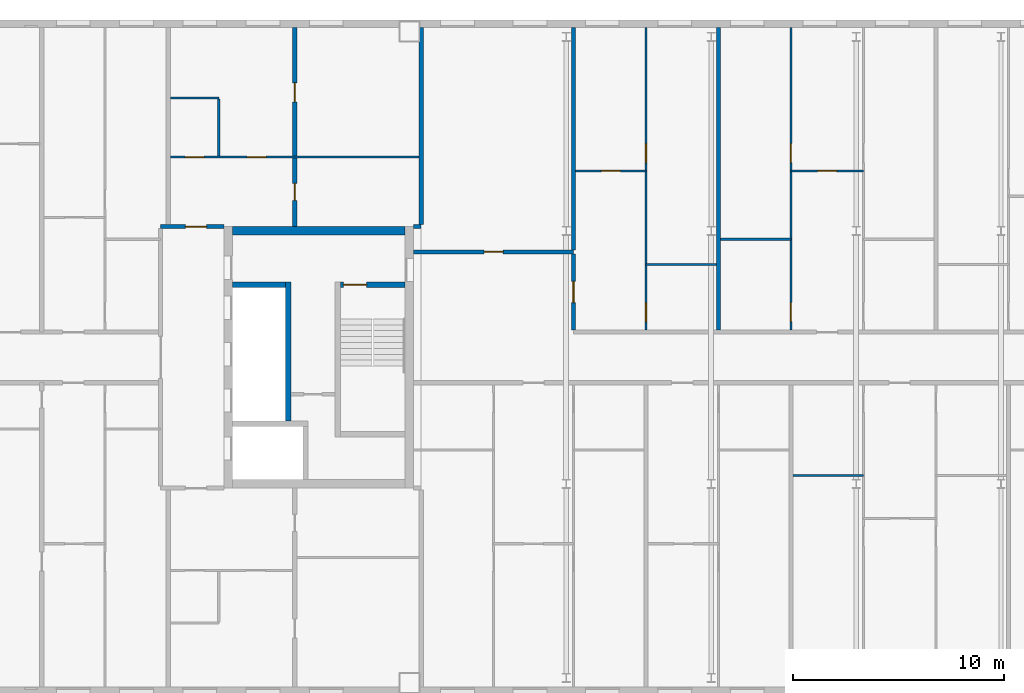
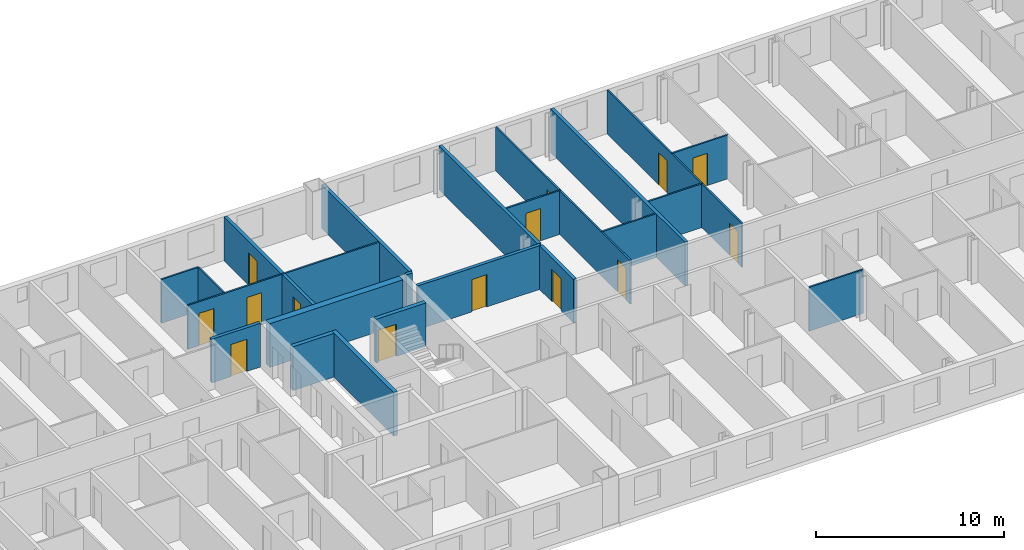
# One storey, part 9 of 19: 22 walls, 14 doors, 14 openings.
"""IFC4 building model written with IfcOpenShell, lengths in metres."""

from ifc_helpers import new_model, si_unit, direction, frame, frame_2d, origin, place, context, subcontext, project, spatial, rectangle, extrude, material, layer, layer_set, type_object, element, fill, save


model = new_model("IFC4")

# Units and contexts
model_context = context("Model", 3, precision=1e-05, world=origin(), true_north=direction((0.0, 1.0)))
body_context = subcontext(model_context, "Body", "Model", "MODEL_VIEW")
ifc_project = project(units=[si_unit("LENGTHUNIT", "METRE"), si_unit("AREAUNIT", "SQUARE_METRE"), si_unit("VOLUMEUNIT", "CUBIC_METRE"), si_unit("PLANEANGLEUNIT", "RADIAN"), si_unit("MASSUNIT", "GRAM", prefix="KILO")], contexts=[model_context])

# Site, building, storey
site_placement = place(None, origin())
site = spatial("IfcSite", under=ifc_project, at=site_placement, CompositionType="ELEMENT")
building_placement = place(site_placement, origin())
building = spatial("IfcBuilding", under=site, at=building_placement, Name="Tuart Gate Housing", CompositionType="ELEMENT")
storey_placement = place(building_placement, frame((0.0, 0.0, 230.699951171875)))
storey = spatial("IfcBuildingStorey", under=building, at=storey_placement, Name="L65", CompositionType="ELEMENT", Elevation=230.699951171875)

# Wall
ifc_material_1 = material(Name="Concrete C40", Category="concrete")
ifc_layer_1 = layer(ifc_material_1, 0.25)
ifc_layer_set_1 = layer_set([ifc_layer_1], Name="Core wall 250 C40")
wall_type_1 = type_object("IfcWallType", Name="Core wall 250 C40", PredefinedType="SHEAR", material=ifc_layer_set_1)
wall_1_placement = place(storey_placement, frame((67.0400390625, 73.449951171875, 0.0), z_axis=(0.0, 0.0, 1.0), x_axis=(1.0, 0.0, 0.0)))
element("IfcWall", 1, at=wall_1_placement, inside=storey, type_object=wall_type_1, Name="Core wall AG.4", PredefinedType="SHEAR", context=body_context, shape_type="SweptSolid", body=[
    extrude(rectangle(XDim=2.52490234375, YDim=0.25, at=frame_2d((1.262451171875, 0.0))), origin(), (0.0, 0.0, 1.0), 2.85009765625),
])

# Wall, opening, door
wall_2_placement = place(storey_placement, frame((72.1650390625, 73.449951171875, 0.0), z_axis=(0.0, 0.0, 1.0), x_axis=(1.0, 0.0, 0.0)))
wall_2 = element("IfcWall", 2, at=wall_2_placement, inside=storey, type_object=wall_type_1, Name="Core wall AG.5", PredefinedType="SHEAR", context=body_context, shape_type="SweptSolid", body=[
    extrude(rectangle(XDim=3.074951171875, YDim=0.25, at=frame_2d((1.53759765625, 0.0))), origin(), (0.0, 0.0, 1.0), 2.85009765625),
])
opening_1_placement = place(wall_2_placement, frame((0.14990234375, 0.0, 0.0)))
opening_1 = element("IfcOpeningElement", 3, at=opening_1_placement, cuts=wall_2, Name="Opening D2463", PredefinedType="OPENING", context=body_context, shape_type="SweptSolid", body=[
    extrude(rectangle(XDim=1.10009765625, YDim=2.10009765625, at=frame_2d((0.550048828125, 1.050048828125))), frame((0.0, 0.135009765625, 0.0), z_axis=(0.0, -1.0, 0.0), x_axis=(1.0, 0.0, 0.0)), (0.0, 0.0, 1.0), 0.27001953125),
])
ifc_material_2 = material(Name="Steel fire door", Category="steel")
door_type_1 = type_object("IfcDoorType", Name="Stair door 1100 x 2100 RH", OperationType="SINGLE_SWING_RIGHT", PredefinedType="DOOR", material=ifc_material_2)
door_1_placement = place(opening_1_placement, frame((1.10009765625, 0.0, 0.0), z_axis=(0.0, 0.0, 1.0), x_axis=(-1.0, 0.0, 0.0)))
door_1 = element("IfcDoor", 4, at=door_1_placement, inside=storey, type_object=door_type_1, Name="Stair door AG.SD", OperationType="SINGLE_SWING_RIGHT", OverallHeight=2.10009765625, OverallWidth=1.10009765625, PredefinedType="DOOR", context=body_context, shape_type="SweptSolid", body=[
    extrude(rectangle(XDim=1.10009765625, YDim=2.10009765625, at=frame_2d((0.550048828125, 1.050048828125))), frame((0.0, 0.025146484375, 0.0), z_axis=(0.0, -1.0, 0.0), x_axis=(1.0, 0.0, 0.0)), (0.0, 0.0, 1.0), 0.050048828125),
])
fill(opening_1, door_1)

# Walls
wall_3_placement = place(storey_placement, frame((69.68994140625, 66.97509765625, 0.0), z_axis=(0.0, 0.0, 1.0), x_axis=(0.0, 1.0, 0.0)))
element("IfcWall", 5, at=wall_3_placement, inside=storey, type_object=wall_type_1, Name="Core wall AG.6", PredefinedType="SHEAR", context=body_context, shape_type="SweptSolid", body=[
    extrude(rectangle(XDim=6.599853515625, YDim=0.25, at=frame_2d((3.2998046875, 0.0))), origin(), (0.0, 0.0, 1.0), 2.85009765625),
])
ifc_material_3 = material(Name="Concrete C40", Category="concrete")
ifc_layer_2 = layer(ifc_material_3, 0.39990234375)
ifc_layer_set_2 = layer_set([ifc_layer_2], Name="Core wall 400 C40")
wall_type_2 = type_object("IfcWallType", Name="Core wall 400 C40", PredefinedType="SHEAR", material=ifc_layer_set_2)
wall_4_placement = place(storey_placement, frame((67.0400390625, 76.0, 0.0), z_axis=(0.0, 0.0, 1.0), x_axis=(1.0, 0.0, 0.0)))
element("IfcWall", 6, at=wall_4_placement, inside=storey, type_object=wall_type_2, Name="Core wall AG north", PredefinedType="SHEAR", context=body_context, shape_type="SweptSolid", body=[
    extrude(rectangle(XDim=8.199951171875, YDim=0.39990234375, at=frame_2d((4.10009765625, 0.0))), origin(), (0.0, 0.0, 1.0), 2.85009765625),
])

# Wall, opening, door
ifc_material_4 = material(Name="Concrete masonry 15 MPa", Category="masonry")
ifc_layer_3 = layer(ifc_material_4, 0.199951171875)
ifc_layer_set_3 = layer_set([ifc_layer_3], Name="Corridor wall masonry 200")
wall_type_3 = type_object("IfcWallType", Name="Corridor wall masonry 200", PredefinedType="PARTITIONING", material=ifc_layer_set_3)
wall_5_placement = place(storey_placement, frame((75.639892578125, 75.0, 0.0), z_axis=(0.0, 0.0, 1.0), x_axis=(1.0, 0.0, 0.0)))
wall_5 = element("IfcWall", 7, at=wall_5_placement, inside=storey, type_object=wall_type_3, Name="Corridor wall masonry 200", PredefinedType="PARTITIONING", context=body_context, shape_type="SweptSolid", body=[
    extrude(rectangle(XDim=7.585205078125, YDim=0.199951171875, at=frame_2d((3.79248046875, 0.0))), origin(), (0.0, 0.0, 1.0), 2.85009765625),
])
opening_2_placement = place(wall_5_placement, frame((3.342529296875, 0.0, 0.0)))
opening_2 = element("IfcOpeningElement", 8, at=opening_2_placement, cuts=wall_5, Name="Opening D2518", PredefinedType="OPENING", context=body_context, shape_type="SweptSolid", body=[
    extrude(rectangle(XDim=0.89990234375, YDim=2.10009765625, at=frame_2d((0.449951171875, 1.050048828125))), frame((0.0, 0.10986328125, 0.0), z_axis=(0.0, -1.0, 0.0), x_axis=(1.0, 0.0, 0.0)), (0.0, 0.0, 1.0), 0.219970703125),
])
ifc_material_5 = material(Name="Timber door leaf in steel frame", Category="steel")
door_type_2 = type_object("IfcDoorType", Name="Internal door 900", OperationType="SINGLE_SWING_LEFT", PredefinedType="DOOR", material=ifc_material_5)
door_2_placement = place(opening_2_placement, origin())
door_2 = element("IfcDoor", 9, at=door_2_placement, inside=storey, type_object=door_type_2, Name="Internal door", OperationType="SINGLE_SWING_LEFT", OverallHeight=2.10009765625, OverallWidth=0.89990234375, PredefinedType="DOOR", context=body_context, shape_type="SweptSolid", body=[
    extrude(rectangle(XDim=0.89990234375, YDim=2.10009765625, at=frame_2d((0.449951171875, 1.050048828125))), frame((0.0, 0.02490234375, 0.0), z_axis=(0.0, -1.0, 0.0), x_axis=(1.0, 0.0, 0.0)), (0.0, 0.0, 1.0), 0.050048828125),
])
fill(opening_2, door_2)

wall_6_placement = place(storey_placement, frame((83.22509765625, 71.300048828125, 0.0), z_axis=(0.0, 0.0, 1.0), x_axis=(0.0, 1.0, 0.0)))
wall_6 = element("IfcWall", 10, at=wall_6_placement, inside=storey, type_object=wall_type_3, Name="Corridor wall masonry 200", PredefinedType="PARTITIONING", context=body_context, shape_type="SweptSolid", body=[
    extrude(rectangle(XDim=3.599853515625, YDim=0.199951171875, at=frame_2d((1.7998046875, 0.0))), origin(), (0.0, 0.0, 1.0), 2.85009765625),
])
opening_3_placement = place(wall_6_placement, frame((1.300048828125, 0.0, 0.0)))
opening_3 = element("IfcOpeningElement", 11, at=opening_3_placement, cuts=wall_6, Name="Opening D2520", PredefinedType="OPENING", context=body_context, shape_type="SweptSolid", body=[
    extrude(rectangle(XDim=1.0, YDim=2.10009765625, at=frame_2d((0.5, 1.050048828125))), frame((0.0, 0.10986328125, 0.0), z_axis=(0.0, -1.0, 0.0), x_axis=(1.0, 0.0, 0.0)), (0.0, 0.0, 1.0), 0.219970703125),
])
ifc_material_6 = material(Name="Timber door leaf in steel frame", Category="steel")
door_type_3 = type_object("IfcDoorType", Name="Flat entrance door 1000 RH", OperationType="SINGLE_SWING_RIGHT", PredefinedType="DOOR", material=ifc_material_6)
door_3_placement = place(opening_3_placement, frame((1.0, 0.0, 0.0), z_axis=(0.0, 0.0, 1.0), x_axis=(-1.0, 0.0, 0.0)))
door_3 = element("IfcDoor", 12, at=door_3_placement, inside=storey, type_object=door_type_3, Name="Flat entrance door", OperationType="SINGLE_SWING_RIGHT", OverallHeight=2.10009765625, OverallWidth=1.0, PredefinedType="DOOR", context=body_context, shape_type="SweptSolid", body=[
    extrude(rectangle(XDim=1.0, YDim=2.10009765625, at=frame_2d((0.5, 1.050048828125))), frame((0.0, 0.025146484375, 0.0), z_axis=(0.0, -1.0, 0.0), x_axis=(1.0, 0.0, 0.0)), (0.0, 0.0, 1.0), 0.050048828125),
])
fill(opening_3, door_3)

ifc_material_7 = material(Name="Concrete masonry 15 MPa", Category="masonry")
ifc_layer_4 = layer(ifc_material_7, 0.199951171875)
ifc_layer_set_4 = layer_set([ifc_layer_4], Name="Enclosure wall masonry 200")
wall_type_4 = type_object("IfcWallType", Name="Enclosure wall masonry 200", PredefinedType="PARTITIONING", material=ifc_layer_set_4)
wall_7_placement = place(storey_placement, frame((63.639892578125, 76.199951171875, 0.0), z_axis=(0.0, 0.0, 1.0), x_axis=(1.0, 0.0, 0.0)))
wall_7 = element("IfcWall", 13, at=wall_7_placement, inside=storey, type_object=wall_type_4, Name="Enclosure wall masonry 200", PredefinedType="PARTITIONING", context=body_context, shape_type="SweptSolid", body=[
    extrude(rectangle(XDim=3.0, YDim=0.199951171875, at=frame_2d((1.5, 0.0))), origin(), (0.0, 0.0, 1.0), 2.85009765625),
])
opening_4_placement = place(wall_7_placement, frame((1.179931640625, 0.0, 0.0)))
opening_4 = element("IfcOpeningElement", 14, at=opening_4_placement, cuts=wall_7, Name="Opening D2461", PredefinedType="OPENING", context=body_context, shape_type="SweptSolid", body=[
    extrude(rectangle(XDim=1.0, YDim=2.10009765625, at=frame_2d((0.5, 1.050048828125))), frame((0.0, 0.10986328125, 0.0), z_axis=(0.0, -1.0, 0.0), x_axis=(1.0, 0.0, 0.0)), (0.0, 0.0, 1.0), 0.219970703125),
])
ifc_material_8 = material(Name="Timber door leaf in steel frame", Category="steel")
door_type_4 = type_object("IfcDoorType", Name="Flat entrance door 1000", OperationType="SINGLE_SWING_LEFT", PredefinedType="DOOR", material=ifc_material_8)
door_4_placement = place(opening_4_placement, origin())
door_4 = element("IfcDoor", 15, at=door_4_placement, inside=storey, type_object=door_type_4, Name="Flat entrance door", OperationType="SINGLE_SWING_LEFT", OverallHeight=2.10009765625, OverallWidth=1.0, PredefinedType="DOOR", context=body_context, shape_type="SweptSolid", body=[
    extrude(rectangle(XDim=1.0, YDim=2.10009765625, at=frame_2d((0.5, 1.050048828125))), frame((0.0, 0.02490234375, 0.0), z_axis=(0.0, -1.0, 0.0), x_axis=(1.0, 0.0, 0.0)), (0.0, 0.0, 1.0), 0.050048828125),
])
fill(opening_4, door_4)

# Walls
ifc_material_9 = material(Name="Gypsum board on steel studs", Category="steel")
ifc_layer_5 = layer(ifc_material_9, 0.10009765625)
ifc_layer_set_5 = layer_set([ifc_layer_5], Name="Partition 100")
wall_type_5 = type_object("IfcWallType", Name="Partition 100", PredefinedType="PARTITIONING", material=ifc_layer_set_5)
wall_8_placement = place(storey_placement, frame((93.636962890625, 64.39990234375, 0.0), z_axis=(0.0, 0.0, 1.0), x_axis=(1.0, 0.0, 0.0)))
element("IfcWall", 16, at=wall_8_placement, inside=storey, type_object=wall_type_5, Name="Partition 100", PredefinedType="PARTITIONING", context=body_context, shape_type="SweptSolid", body=[
    extrude(rectangle(XDim=3.338134765625, YDim=0.10009765625, at=frame_2d((1.6689453125, 0.0))), origin(), (0.0, 0.0, 1.0), 2.85009765625),
])
wall_9_placement = place(storey_placement, frame((86.662109375, 74.39990234375, 0.0), z_axis=(0.0, 0.0, 1.0), x_axis=(1.0, 0.0, 0.0)))
element("IfcWall", 17, at=wall_9_placement, inside=storey, type_object=wall_type_5, Name="Partition 100", PredefinedType="PARTITIONING", context=body_context, shape_type="SweptSolid", body=[
    extrude(rectangle(XDim=3.337890625, YDim=0.10009765625, at=frame_2d((1.6689453125, 0.0))), origin(), (0.0, 0.0, 1.0), 2.85009765625),
])
wall_10_placement = place(storey_placement, frame((90.199951171875, 75.60009765625, 0.0), z_axis=(0.0, 0.0, 1.0), x_axis=(1.0, 0.0, 0.0)))
element("IfcWall", 18, at=wall_10_placement, inside=storey, type_object=wall_type_5, Name="Partition 100", PredefinedType="PARTITIONING", context=body_context, shape_type="SweptSolid", body=[
    extrude(rectangle(XDim=3.337158203125, YDim=0.10009765625, at=frame_2d((1.66845703125, 0.0))), origin(), (0.0, 0.0, 1.0), 2.85009765625),
])

# Wall, opening, door
wall_11_placement = place(storey_placement, frame((83.324951171875, 78.840087890625, 0.0), z_axis=(0.0, 0.0, 1.0), x_axis=(1.0, 0.0, 0.0)))
wall_11 = element("IfcWall", 19, at=wall_11_placement, inside=storey, type_object=wall_type_5, Name="Partition 100", PredefinedType="PARTITIONING", context=body_context, shape_type="SweptSolid", body=[
    extrude(rectangle(XDim=3.337158203125, YDim=0.10009765625, at=frame_2d((1.66845703125, 0.0))), origin(), (0.0, 0.0, 1.0), 2.85009765625),
])
opening_5_placement = place(wall_11_placement, frame((1.218505859375, 0.0, 0.0)))
opening_5 = element("IfcOpeningElement", 20, at=opening_5_placement, cuts=wall_11, Name="Opening D2500", PredefinedType="OPENING", context=body_context, shape_type="SweptSolid", body=[
    extrude(rectangle(XDim=0.89990234375, YDim=2.10009765625, at=frame_2d((0.449951171875, 1.050048828125))), frame((0.0, 0.06005859375, 0.0), z_axis=(0.0, -1.0, 0.0), x_axis=(1.0, 0.0, 0.0)), (0.0, 0.0, 1.0), 0.1201171875),
])
door_5_placement = place(opening_5_placement, frame((0.89990234375, 0.0, 0.0), z_axis=(0.0, 0.0, 1.0), x_axis=(-1.0, 0.0, 0.0)))
door_5 = element("IfcDoor", 21, at=door_5_placement, inside=storey, type_object=door_type_2, Name="Internal door", OperationType="SINGLE_SWING_LEFT", OverallHeight=2.10009765625, OverallWidth=0.89990234375, PredefinedType="DOOR", context=body_context, shape_type="SweptSolid", body=[
    extrude(rectangle(XDim=0.89990234375, YDim=2.10009765625, at=frame_2d((0.449951171875, 1.050048828125))), frame((0.0, 0.025146484375, 0.0), z_axis=(0.0, -1.0, 0.0), x_axis=(1.0, 0.0, 0.0)), (0.0, 0.0, 1.0), 0.050048828125),
])
fill(opening_5, door_5)

wall_12_placement = place(storey_placement, frame((93.537109375, 78.840087890625, 0.0), z_axis=(0.0, 0.0, 1.0), x_axis=(1.0, 0.0, 0.0)))
wall_12 = element("IfcWall", 22, at=wall_12_placement, inside=storey, type_object=wall_type_5, Name="Partition 100", PredefinedType="PARTITIONING", context=body_context, shape_type="SweptSolid", body=[
    extrude(rectangle(XDim=3.43798828125, YDim=0.10009765625, at=frame_2d((1.718994140625, 0.0))), origin(), (0.0, 0.0, 1.0), 2.85009765625),
])
opening_6_placement = place(wall_12_placement, frame((1.26904296875, 0.0, 0.0)))
opening_6 = element("IfcOpeningElement", 23, at=opening_6_placement, cuts=wall_12, Name="Opening D2501", PredefinedType="OPENING", context=body_context, shape_type="SweptSolid", body=[
    extrude(rectangle(XDim=0.89990234375, YDim=2.10009765625, at=frame_2d((0.449951171875, 1.050048828125))), frame((0.0, 0.06005859375, 0.0), z_axis=(0.0, -1.0, 0.0), x_axis=(1.0, 0.0, 0.0)), (0.0, 0.0, 1.0), 0.1201171875),
])
ifc_material_10 = material(Name="Timber door leaf in steel frame", Category="steel")
door_type_5 = type_object("IfcDoorType", Name="Internal door 900 RH", OperationType="SINGLE_SWING_RIGHT", PredefinedType="DOOR", material=ifc_material_10)
door_6_placement = place(opening_6_placement, frame((0.89990234375, 0.0, 0.0), z_axis=(0.0, 0.0, 1.0), x_axis=(-1.0, 0.0, 0.0)))
door_6 = element("IfcDoor", 24, at=door_6_placement, inside=storey, type_object=door_type_5, Name="Internal door", OperationType="SINGLE_SWING_RIGHT", OverallHeight=2.10009765625, OverallWidth=0.89990234375, PredefinedType="DOOR", context=body_context, shape_type="SweptSolid", body=[
    extrude(rectangle(XDim=0.89990234375, YDim=2.10009765625, at=frame_2d((0.449951171875, 1.050048828125))), frame((0.0, 0.025146484375, 0.0), z_axis=(0.0, -1.0, 0.0), x_axis=(1.0, 0.0, 0.0)), (0.0, 0.0, 1.0), 0.050048828125),
])
fill(opening_6, door_6)

# Wall, openings, doors
wall_13_placement = place(storey_placement, frame((64.10009765625, 79.5, 0.0), z_axis=(0.0, 0.0, 1.0), x_axis=(1.0, 0.0, 0.0)))
wall_13 = element("IfcWall", 25, at=wall_13_placement, inside=storey, type_object=wall_type_5, Name="Partition 100", PredefinedType="PARTITIONING", context=body_context, shape_type="SweptSolid", body=[
    extrude(rectangle(XDim=11.7998046875, YDim=0.10009765625, at=frame_2d((5.89990234375, 0.0))), origin(), (0.0, 0.0, 1.0), 2.85009765625),
])
opening_7_placement = place(wall_13_placement, frame((3.64990234375, 0.0, 0.0)))
opening_7 = element("IfcOpeningElement", 26, at=opening_7_placement, cuts=wall_13, Name="Opening D2451", PredefinedType="OPENING", context=body_context, shape_type="SweptSolid", body=[
    extrude(rectangle(XDim=0.89990234375, YDim=2.10009765625, at=frame_2d((0.449951171875, 1.050048828125))), frame((0.0, 0.06005859375, 0.0), z_axis=(0.0, -1.0, 0.0), x_axis=(1.0, 0.0, 0.0)), (0.0, 0.0, 1.0), 0.1201171875),
])
opening_8_placement = place(wall_13_placement, frame((0.699951171875, 0.0, 0.0)))
opening_8 = element("IfcOpeningElement", 27, at=opening_8_placement, cuts=wall_13, Name="Opening D2450", PredefinedType="OPENING", context=body_context, shape_type="SweptSolid", body=[
    extrude(rectangle(XDim=0.89990234375, YDim=2.10009765625, at=frame_2d((0.449951171875, 1.050048828125))), frame((0.0, 0.06005859375, 0.0), z_axis=(0.0, -1.0, 0.0), x_axis=(1.0, 0.0, 0.0)), (0.0, 0.0, 1.0), 0.1201171875),
])
ifc_material_11 = material(Name="Timber door leaf in steel frame", Category="steel")
door_type_6 = type_object("IfcDoorType", Name="Bathroom door 900 RH", OperationType="SINGLE_SWING_RIGHT", PredefinedType="DOOR", material=ifc_material_11)
door_7_placement = place(opening_8_placement, origin())
door_7 = element("IfcDoor", 28, at=door_7_placement, inside=storey, type_object=door_type_6, Name="Bathroom door", OperationType="SINGLE_SWING_RIGHT", OverallHeight=2.10009765625, OverallWidth=0.89990234375, PredefinedType="DOOR", context=body_context, shape_type="SweptSolid", body=[
    extrude(rectangle(XDim=0.89990234375, YDim=2.10009765625, at=frame_2d((0.449951171875, 1.050048828125))), frame((0.0, 0.02490234375, 0.0), z_axis=(0.0, -1.0, 0.0), x_axis=(1.0, 0.0, 0.0)), (0.0, 0.0, 1.0), 0.050048828125),
])
fill(opening_8, door_7)
door_8_placement = place(opening_7_placement, frame((0.89990234375, 0.0, 0.0), z_axis=(0.0, 0.0, 1.0), x_axis=(-1.0, 0.0, 0.0)))
door_8 = element("IfcDoor", 29, at=door_8_placement, inside=storey, type_object=door_type_2, Name="Internal door", OperationType="SINGLE_SWING_LEFT", OverallHeight=2.10009765625, OverallWidth=0.89990234375, PredefinedType="DOOR", context=body_context, shape_type="SweptSolid", body=[
    extrude(rectangle(XDim=0.89990234375, YDim=2.10009765625, at=frame_2d((0.449951171875, 1.050048828125))), frame((0.0, 0.025146484375, 0.0), z_axis=(0.0, -1.0, 0.0), x_axis=(1.0, 0.0, 0.0)), (0.0, 0.0, 1.0), 0.050048828125),
])
fill(opening_7, door_8)

# Walls
wall_14_placement = place(storey_placement, frame((64.10009765625, 82.300048828125, 0.0), z_axis=(0.0, 0.0, 1.0), x_axis=(1.0, 0.0, 0.0)))
element("IfcWall", 30, at=wall_14_placement, inside=storey, type_object=wall_type_5, Name="Partition 100", PredefinedType="PARTITIONING", context=body_context, shape_type="SweptSolid", body=[
    extrude(rectangle(XDim=2.2998046875, YDim=0.10009765625, at=frame_2d((1.14990234375, 0.0))), origin(), (0.0, 0.0, 1.0), 2.85009765625),
])
wall_15_placement = place(storey_placement, frame((66.39990234375, 79.550048828125, 0.0), z_axis=(0.0, 0.0, 1.0), x_axis=(0.0, 1.0, 0.0)))
element("IfcWall", 31, at=wall_15_placement, inside=storey, type_object=wall_type_5, Name="Partition 100", PredefinedType="PARTITIONING", context=body_context, shape_type="SweptSolid", body=[
    extrude(rectangle(XDim=2.699951171875, YDim=0.10009765625, at=frame_2d((1.35009765625, 0.0))), origin(), (0.0, 0.0, 1.0), 2.85009765625),
])

# Wall, openings, doors
wall_16_placement = place(storey_placement, frame((86.662109375, 71.300048828125, 0.0), z_axis=(0.0, 0.0, 1.0), x_axis=(0.0, 1.0, 0.0)))
wall_16 = element("IfcWall", 32, at=wall_16_placement, inside=storey, type_object=wall_type_5, Name="Partition 100", PredefinedType="PARTITIONING", context=body_context, shape_type="SweptSolid", body=[
    extrude(rectangle(XDim=14.33984375, YDim=0.10009765625, at=frame_2d((7.169921875, 0.0))), origin(), (0.0, 0.0, 1.0), 2.85009765625),
])
opening_9_placement = place(wall_16_placement, frame((7.93994140625, 0.0, 0.0)))
opening_9 = element("IfcOpeningElement", 33, at=opening_9_placement, cuts=wall_16, Name="Opening D2504", PredefinedType="OPENING", context=body_context, shape_type="SweptSolid", body=[
    extrude(rectangle(XDim=0.89990234375, YDim=2.10009765625, at=frame_2d((0.449951171875, 1.050048828125))), frame((0.0, 0.06005859375, 0.0), z_axis=(0.0, -1.0, 0.0), x_axis=(1.0, 0.0, 0.0)), (0.0, 0.0, 1.0), 0.1201171875),
])
opening_10_placement = place(wall_16_placement, frame((0.39990234375, 0.0, 0.0)))
opening_10 = element("IfcOpeningElement", 34, at=opening_10_placement, cuts=wall_16, Name="Opening D2503", PredefinedType="OPENING", context=body_context, shape_type="SweptSolid", body=[
    extrude(rectangle(XDim=0.89990234375, YDim=2.10009765625, at=frame_2d((0.449951171875, 1.050048828125))), frame((0.0, 0.06005859375, 0.0), z_axis=(0.0, -1.0, 0.0), x_axis=(1.0, 0.0, 0.0)), (0.0, 0.0, 1.0), 0.1201171875),
])
door_9_placement = place(opening_10_placement, frame((0.89990234375, 0.0, 0.0), z_axis=(0.0, 0.0, 1.0), x_axis=(-1.0, 0.0, 0.0)))
door_9 = element("IfcDoor", 35, at=door_9_placement, inside=storey, type_object=door_type_6, Name="Bathroom door", OperationType="SINGLE_SWING_RIGHT", OverallHeight=2.10009765625, OverallWidth=0.89990234375, PredefinedType="DOOR", context=body_context, shape_type="SweptSolid", body=[
    extrude(rectangle(XDim=0.89990234375, YDim=2.10009765625, at=frame_2d((0.449951171875, 1.050048828125))), frame((0.0, 0.025146484375, 0.0), z_axis=(0.0, -1.0, 0.0), x_axis=(1.0, 0.0, 0.0)), (0.0, 0.0, 1.0), 0.050048828125),
])
fill(opening_10, door_9)
door_10_placement = place(opening_9_placement, frame((0.89990234375, 0.0, 0.0), z_axis=(0.0, 0.0, 1.0), x_axis=(-1.0, 0.0, 0.0)))
door_10 = element("IfcDoor", 36, at=door_10_placement, inside=storey, type_object=door_type_5, Name="Internal door", OperationType="SINGLE_SWING_RIGHT", OverallHeight=2.10009765625, OverallWidth=0.89990234375, PredefinedType="DOOR", context=body_context, shape_type="SweptSolid", body=[
    extrude(rectangle(XDim=0.89990234375, YDim=2.10009765625, at=frame_2d((0.449951171875, 1.050048828125))), frame((0.0, 0.025146484375, 0.0), z_axis=(0.0, -1.0, 0.0), x_axis=(1.0, 0.0, 0.0)), (0.0, 0.0, 1.0), 0.050048828125),
])
fill(opening_9, door_10)

wall_17_placement = place(storey_placement, frame((93.537109375, 71.300048828125, 0.0), z_axis=(0.0, 0.0, 1.0), x_axis=(0.0, 1.0, 0.0)))
wall_17 = element("IfcWall", 37, at=wall_17_placement, inside=storey, type_object=wall_type_5, Name="Partition 100", PredefinedType="PARTITIONING", context=body_context, shape_type="SweptSolid", body=[
    extrude(rectangle(XDim=14.33984375, YDim=0.10009765625, at=frame_2d((7.169921875, 0.0))), origin(), (0.0, 0.0, 1.0), 2.85009765625),
])
opening_11_placement = place(wall_17_placement, frame((7.93994140625, 0.0, 0.0)))
opening_11 = element("IfcOpeningElement", 38, at=opening_11_placement, cuts=wall_17, Name="Opening D2506", PredefinedType="OPENING", context=body_context, shape_type="SweptSolid", body=[
    extrude(rectangle(XDim=0.89990234375, YDim=2.10009765625, at=frame_2d((0.449951171875, 1.050048828125))), frame((0.0, 0.06005859375, 0.0), z_axis=(0.0, -1.0, 0.0), x_axis=(1.0, 0.0, 0.0)), (0.0, 0.0, 1.0), 0.1201171875),
])
opening_12_placement = place(wall_17_placement, frame((0.39990234375, 0.0, 0.0)))
opening_12 = element("IfcOpeningElement", 39, at=opening_12_placement, cuts=wall_17, Name="Opening D2505", PredefinedType="OPENING", context=body_context, shape_type="SweptSolid", body=[
    extrude(rectangle(XDim=0.89990234375, YDim=2.10009765625, at=frame_2d((0.449951171875, 1.050048828125))), frame((0.0, 0.06005859375, 0.0), z_axis=(0.0, -1.0, 0.0), x_axis=(1.0, 0.0, 0.0)), (0.0, 0.0, 1.0), 0.1201171875),
])
ifc_material_12 = material(Name="Timber door leaf in steel frame", Category="steel")
door_type_7 = type_object("IfcDoorType", Name="Bathroom door 900", OperationType="SINGLE_SWING_LEFT", PredefinedType="DOOR", material=ifc_material_12)
door_11_placement = place(opening_12_placement, origin())
door_11 = element("IfcDoor", 40, at=door_11_placement, inside=storey, type_object=door_type_7, Name="Bathroom door", OperationType="SINGLE_SWING_LEFT", OverallHeight=2.10009765625, OverallWidth=0.89990234375, PredefinedType="DOOR", context=body_context, shape_type="SweptSolid", body=[
    extrude(rectangle(XDim=0.89990234375, YDim=2.10009765625, at=frame_2d((0.449951171875, 1.050048828125))), frame((0.0, 0.02490234375, 0.0), z_axis=(0.0, -1.0, 0.0), x_axis=(1.0, 0.0, 0.0)), (0.0, 0.0, 1.0), 0.050048828125),
])
fill(opening_12, door_11)
door_12_placement = place(opening_11_placement, origin())
door_12 = element("IfcDoor", 41, at=door_12_placement, inside=storey, type_object=door_type_2, Name="Internal door", OperationType="SINGLE_SWING_LEFT", OverallHeight=2.10009765625, OverallWidth=0.89990234375, PredefinedType="DOOR", context=body_context, shape_type="SweptSolid", body=[
    extrude(rectangle(XDim=0.89990234375, YDim=2.10009765625, at=frame_2d((0.449951171875, 1.050048828125))), frame((0.0, 0.02490234375, 0.0), z_axis=(0.0, -1.0, 0.0), x_axis=(1.0, 0.0, 0.0)), (0.0, 0.0, 1.0), 0.050048828125),
])
fill(opening_11, door_12)

ifc_material_13 = material(Name="Concrete C40", Category="concrete")
ifc_layer_6 = layer(ifc_material_13, 0.199951171875)
ifc_layer_set_6 = layer_set([ifc_layer_6], Name="Party wall concrete C40 200")
wall_type_6 = type_object("IfcWallType", Name="Party wall concrete C40 200", PredefinedType="SOLIDWALL", material=ifc_layer_set_6)
wall_18_placement = place(storey_placement, frame((70.0, 76.199951171875, 0.0), z_axis=(0.0, 0.0, 1.0), x_axis=(0.0, 1.0, 0.0)))
wall_18 = element("IfcWall", 42, at=wall_18_placement, inside=storey, type_object=wall_type_6, Name="Party wall concrete C40 200", PredefinedType="SOLIDWALL", context=body_context, shape_type="SweptSolid", body=[
    extrude(rectangle(XDim=9.43994140625, YDim=0.199951171875, at=frame_2d((4.719970703125, 0.0))), origin(), (0.0, 0.0, 1.0), 2.85009765625),
])
opening_13_placement = place(wall_18_placement, frame((5.919921875, 0.0, 0.0)))
opening_13 = element("IfcOpeningElement", 43, at=opening_13_placement, cuts=wall_18, Name="Opening D2445", PredefinedType="OPENING", context=body_context, shape_type="SweptSolid", body=[
    extrude(rectangle(XDim=0.89990234375, YDim=2.10009765625, at=frame_2d((0.449951171875, 1.050048828125))), frame((0.0, 0.10986328125, 0.0), z_axis=(0.0, -1.0, 0.0), x_axis=(1.0, 0.0, 0.0)), (0.0, 0.0, 1.0), 0.219970703125),
])
opening_14_placement = place(wall_18_placement, frame((1.25, 0.0, 0.0)))
opening_14 = element("IfcOpeningElement", 44, at=opening_14_placement, cuts=wall_18, Name="Opening D2446", PredefinedType="OPENING", context=body_context, shape_type="SweptSolid", body=[
    extrude(rectangle(XDim=0.800048828125, YDim=2.10009765625, at=frame_2d((0.39990234375, 1.050048828125))), frame((0.0, 0.10986328125, 0.0), z_axis=(0.0, -1.0, 0.0), x_axis=(1.0, 0.0, 0.0)), (0.0, 0.0, 1.0), 0.219970703125),
])
door_13_placement = place(opening_13_placement, frame((0.89990234375, 0.0, 0.0), z_axis=(0.0, 0.0, 1.0), x_axis=(-1.0, 0.0, 0.0)))
door_13 = element("IfcDoor", 45, at=door_13_placement, inside=storey, type_object=door_type_5, Name="Internal door", OperationType="SINGLE_SWING_RIGHT", OverallHeight=2.10009765625, OverallWidth=0.89990234375, PredefinedType="DOOR", context=body_context, shape_type="SweptSolid", body=[
    extrude(rectangle(XDim=0.89990234375, YDim=2.10009765625, at=frame_2d((0.449951171875, 1.050048828125))), frame((0.0, 0.025146484375, 0.0), z_axis=(0.0, -1.0, 0.0), x_axis=(1.0, 0.0, 0.0)), (0.0, 0.0, 1.0), 0.050048828125),
])
fill(opening_13, door_13)
ifc_material_14 = material(Name="Timber door leaf in steel frame", Category="steel")
door_type_8 = type_object("IfcDoorType", Name="Store door 800 RH", OperationType="SINGLE_SWING_RIGHT", PredefinedType="DOOR", material=ifc_material_14)
door_14_placement = place(opening_14_placement, frame((0.800048828125, 0.0, 0.0), z_axis=(0.0, 0.0, 1.0), x_axis=(-1.0, 0.0, 0.0)))
door_14 = element("IfcDoor", 46, at=door_14_placement, inside=storey, type_object=door_type_8, Name="Store door", OperationType="SINGLE_SWING_RIGHT", OverallHeight=2.10009765625, OverallWidth=0.800048828125, PredefinedType="DOOR", context=body_context, shape_type="SweptSolid", body=[
    extrude(rectangle(XDim=0.800048828125, YDim=2.10009765625, at=frame_2d((0.400146484375, 1.050048828125))), frame((0.0, 0.025146484375, 0.0), z_axis=(0.0, -1.0, 0.0), x_axis=(1.0, 0.0, 0.0)), (0.0, 0.0, 1.0), 0.050048828125),
])
fill(opening_14, door_14)

# Walls
ifc_material_15 = material(Name="Concrete masonry 15 MPa", Category="masonry")
ifc_layer_7 = layer(ifc_material_15, 0.199951171875)
ifc_layer_set_7 = layer_set([ifc_layer_7], Name="Party wall masonry 200")
wall_type_7 = type_object("IfcWallType", Name="Party wall masonry 200", PredefinedType="PARTITIONING", material=ifc_layer_set_7)
wall_19_placement = place(storey_placement, frame((75.639892578125, 76.199951171875, 0.0), z_axis=(0.0, 0.0, 1.0), x_axis=(1.0, 0.0, 0.0)))
element("IfcWall", 47, at=wall_19_placement, inside=storey, type_object=wall_type_7, Name="Party wall masonry 200", PredefinedType="PARTITIONING", context=body_context, shape_type="SweptSolid", body=[
    extrude(rectangle(XDim=0.360107421875, YDim=0.199951171875, at=frame_2d((0.18017578125, 0.0))), origin(), (0.0, 0.0, 1.0), 2.85009765625),
])
wall_20_placement = place(storey_placement, frame((76.0, 76.300048828125, 0.0), z_axis=(0.0, 0.0, 1.0), x_axis=(0.0, 1.0, 0.0)))
element("IfcWall", 48, at=wall_20_placement, inside=storey, type_object=wall_type_7, Name="Party wall masonry 200", PredefinedType="PARTITIONING", context=body_context, shape_type="SweptSolid", body=[
    extrude(rectangle(XDim=9.33984375, YDim=0.199951171875, at=frame_2d((4.669921875, 0.0))), origin(), (0.0, 0.0, 1.0), 2.85009765625),
])
wall_21_placement = place(storey_placement, frame((83.22509765625, 75.10009765625, 0.0), z_axis=(0.0, 0.0, 1.0), x_axis=(0.0, 1.0, 0.0)))
element("IfcWall", 49, at=wall_21_placement, inside=storey, type_object=wall_type_7, Name="Party wall masonry 200", PredefinedType="PARTITIONING", context=body_context, shape_type="SweptSolid", body=[
    extrude(rectangle(XDim=10.539794921875, YDim=0.199951171875, at=frame_2d((5.27001953125, 0.0))), origin(), (0.0, 0.0, 1.0), 2.85009765625),
])
wall_22_placement = place(storey_placement, frame((90.10009765625, 71.300048828125, 0.0), z_axis=(0.0, 0.0, 1.0), x_axis=(0.0, 1.0, 0.0)))
element("IfcWall", 50, at=wall_22_placement, inside=storey, type_object=wall_type_7, Name="Party wall masonry 200", PredefinedType="PARTITIONING", context=body_context, shape_type="SweptSolid", body=[
    extrude(rectangle(XDim=14.33984375, YDim=0.199951171875, at=frame_2d((7.169921875, 0.0))), origin(), (0.0, 0.0, 1.0), 2.85009765625),
])

save(model, "model.ifc")
